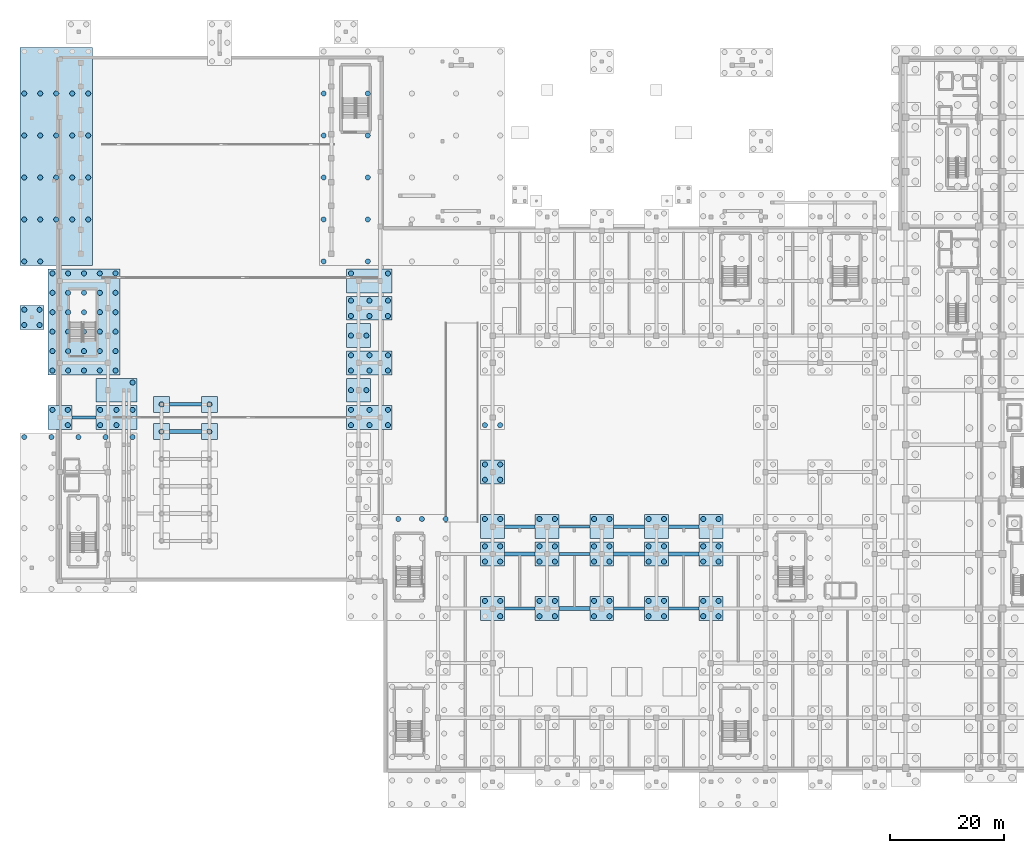
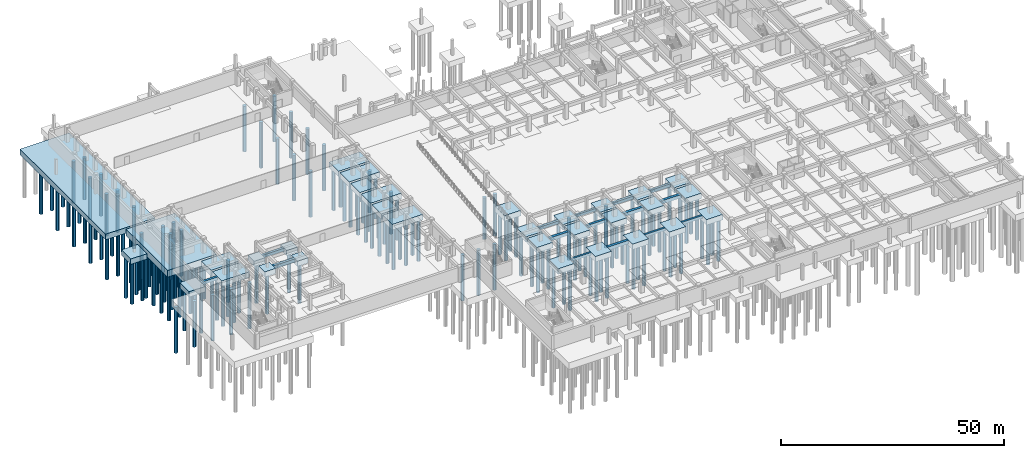
# One storey, part 2 of 39: 166 piles, 47 footings.
"""IFC4 building model written with IfcOpenShell, lengths in metres."""

from ifc_helpers import new_model, si_unit, direction, frame, origin, origin_2d, place, context, subcontext, project, spatial, rectangle, circle, extrude, material, material_profile, profile_set, type_object, element, save


model = new_model("IFC4")

# Units and contexts
model_context = context("Model", 3, precision=1e-05, world=origin(), true_north=direction((0.0, 1.0)))
body_context = subcontext(model_context, "Body", "Model", "MODEL_VIEW")
ifc_project = project(units=[si_unit("LENGTHUNIT", "METRE"), si_unit("AREAUNIT", "SQUARE_METRE"), si_unit("VOLUMEUNIT", "CUBIC_METRE"), si_unit("PLANEANGLEUNIT", "RADIAN"), si_unit("MASSUNIT", "GRAM", prefix="KILO")], contexts=[model_context])

# Site, building, storey
site_placement = place(None, origin())
site = spatial("IfcSite", under=ifc_project, at=site_placement, CompositionType="ELEMENT")
building_placement = place(site_placement, origin())
building = spatial("IfcBuilding", under=site, at=building_placement, Name="Nakhvara Creek Congress Hotel", CompositionType="ELEMENT")
storey_placement = place(building_placement, frame((0.0, 0.0, -8.39990234375)))
storey = spatial("IfcBuildingStorey", under=building, at=storey_placement, Name="B2", CompositionType="ELEMENT", Elevation=-8.39990234375)

# Footings
ifc_material = material(Name="Concrete C40/50", Category="concrete")
footing_type_1 = type_object("IfcFootingType", Name="FT-GB-500X700", PredefinedType="FOOTING_BEAM", material=ifc_material)
for number, where, z_axis, x_axis, name in (
    (1, (81.60009765625, 28.800048828125, -0.7001953125), (0.0, 0.0, 1.0), (1.0, 0.0, 0.0), "Ground Beam GB-016"),
    (2, (91.199951171875, 43.199951171875, -0.7001953125), (0.0, 0.0, 1.0), (1.0, 0.0, 0.0), "Ground Beam GB-025"),
    (3, (100.800048828125, 28.800048828125, -0.7001953125), (0.0, 0.0, 1.0), (1.0, 0.0, 0.0), "Ground Beam GB-031"),
    (4, (110.39990234375, 28.800048828125, -0.7001953125), (0.0, 0.0, 1.0), (1.0, 0.0, 0.0), "Ground Beam GB-037"),
):
    element("IfcFooting", number, at=place(storey_placement, frame(where, z_axis=z_axis, x_axis=x_axis)), inside=storey, type_object=footing_type_1, Name=name, PredefinedType="FOOTING_BEAM", context=body_context, shape_type="SweptSolid", body=[
        extrude(rectangle(XDim=5.39990234375, YDim=0.5, at=origin_2d()), origin(), (0.0, 0.0, 1.0), 0.699951171875),
    ])
footing_type_2 = type_object("IfcFootingType", Name="FT-GB-600X800", PredefinedType="FOOTING_BEAM", material=ifc_material)
footing_1_placement = place(storey_placement, frame((4.949951171875, 62.39990234375, -0.80029296875), z_axis=(0.0, 0.0, 1.0), x_axis=(1.0, 0.0, 0.0)))
element("IfcFooting", 5, at=footing_1_placement, inside=storey, type_object=footing_type_2, Name="Ground Beam GB-006", PredefinedType="FOOTING_BEAM", context=body_context, shape_type="SweptSolid", body=[
    extrude(rectangle(XDim=4.199951171875, YDim=0.60009765625, at=origin_2d()), origin(), (0.0, 0.0, 1.0), 0.800048828125),
])
footing_2_placement = place(storey_placement, frame((22.800048828125, 64.699951171875, -0.80029296875), z_axis=(0.0, 0.0, 1.0), x_axis=(1.0, 0.0, 0.0)))
element("IfcFooting", 6, at=footing_2_placement, inside=storey, type_object=footing_type_2, Name="Ground Beam GB-012", PredefinedType="FOOTING_BEAM", context=body_context, shape_type="SweptSolid", body=[
    extrude(rectangle(XDim=5.60009765625, YDim=0.60009765625, at=origin_2d()), origin(), (0.0, 0.0, 1.0), 0.800048828125),
])
for number, where, z_axis, x_axis, name in (
    (7, (81.60009765625, 43.199951171875, -0.80029296875), (0.0, 0.0, 1.0), (1.0, 0.0, 0.0), "Ground Beam GB-018"),
    (8, (91.199951171875, 38.39990234375, -0.80029296875), (0.0, 0.0, 1.0), (1.0, 0.0, 0.0), "Ground Beam GB-024"),
    (9, (100.800048828125, 43.199951171875, -0.80029296875), (0.0, 0.0, 1.0), (1.0, 0.0, 0.0), "Ground Beam GB-033"),
    (10, (110.39990234375, 43.199951171875, -0.80029296875), (0.0, 0.0, 1.0), (1.0, 0.0, 0.0), "Ground Beam GB-039"),
):
    element("IfcFooting", number, at=place(storey_placement, frame(where, z_axis=z_axis, x_axis=x_axis)), inside=storey, type_object=footing_type_2, Name=name, PredefinedType="FOOTING_BEAM", context=body_context, shape_type="SweptSolid", body=[
        extrude(rectangle(XDim=5.39990234375, YDim=0.60009765625, at=origin_2d()), origin(), (0.0, 0.0, 1.0), 0.800048828125),
    ])
footing_type_3 = type_object("IfcFootingType", Name="FT-GB-700X900", PredefinedType="FOOTING_BEAM", material=ifc_material)
footing_3_placement = place(storey_placement, frame((22.800048828125, 59.89990234375, -0.900146484375), z_axis=(0.0, 0.0, 1.0), x_axis=(1.0, 0.0, 0.0)))
element("IfcFooting", 11, at=footing_3_placement, inside=storey, type_object=footing_type_3, Name="Ground Beam GB-011", PredefinedType="FOOTING_BEAM", context=body_context, shape_type="SweptSolid", body=[
    extrude(rectangle(XDim=5.60009765625, YDim=0.699951171875, at=origin_2d()), origin(), (0.0, 0.0, 1.0), 0.89990234375),
])
for number, where, z_axis, x_axis, name in (
    (12, (81.60009765625, 38.39990234375, -0.900146484375), (0.0, 0.0, 1.0), (1.0, 0.0, 0.0), "Ground Beam GB-017"),
    (13, (91.199951171875, 28.800048828125, -0.900146484375), (0.0, 0.0, 1.0), (1.0, 0.0, 0.0), "Ground Beam GB-023"),
    (14, (100.800048828125, 38.39990234375, -0.900146484375), (0.0, 0.0, 1.0), (1.0, 0.0, 0.0), "Ground Beam GB-032"),
    (15, (110.39990234375, 38.39990234375, -0.900146484375), (0.0, 0.0, 1.0), (1.0, 0.0, 0.0), "Ground Beam GB-038"),
):
    element("IfcFooting", number, at=place(storey_placement, frame(where, z_axis=z_axis, x_axis=x_axis)), inside=storey, type_object=footing_type_3, Name=name, PredefinedType="FOOTING_BEAM", context=body_context, shape_type="SweptSolid", body=[
        extrude(rectangle(XDim=5.39990234375, YDim=0.699951171875, at=origin_2d()), origin(), (0.0, 0.0, 1.0), 0.89990234375),
    ])
footing_type_4 = type_object("IfcFootingType", Name="FT-MCAP-1260X1860X185", PredefinedType="PILE_CAP", material=ifc_material)
footing_4_placement = place(storey_placement, frame((4.949951171875, 79.199951171875, -1.85009765625), z_axis=(0.0, 0.0, 1.0), x_axis=(1.0, 0.0, 0.0)))
element("IfcFooting", 16, at=footing_4_placement, inside=storey, type_object=footing_type_4, Name="Pile Cap 006", PredefinedType="PILE_CAP", context=body_context, shape_type="SweptSolid", body=[
    extrude(rectangle(XDim=12.60009765625, YDim=18.60009765625, at=origin_2d()), origin(), (0.0, 0.0, 1.0), 1.85009765625),
])
footing_type_5 = type_object("IfcFootingType", Name="FT-MCAP-1275X3840X155", PredefinedType="PILE_CAP", material=ifc_material)
footing_5_placement = place(storey_placement, frame((0.074951171875, 108.300048828125, -1.55029296875), z_axis=(0.0, 0.0, 1.0), x_axis=(1.0, 0.0, 0.0)))
element("IfcFooting", 17, at=footing_5_placement, inside=storey, type_object=footing_type_5, Name="Pile Cap 037", PredefinedType="PILE_CAP", context=body_context, shape_type="SweptSolid", body=[
    extrude(rectangle(XDim=12.75, YDim=38.39990234375, at=origin_2d()), origin(), (0.0, 0.0, 1.0), 1.550048828125),
])
footing_type_6 = type_object("IfcFootingType", Name="FT-MCAP-280X280X140", PredefinedType="PILE_CAP", material=ifc_material)
for number, where, z_axis, x_axis, name in (
    (18, (18.60009765625, 59.89990234375, -1.400146484375), (0.0, 0.0, 1.0), (1.0, 0.0, 0.0), "Pile Cap 033"),
    (19, (27.0, 59.89990234375, -1.400146484375), (0.0, 0.0, 1.0), (1.0, 0.0, 0.0), "Pile Cap 034"),
    (20, (18.60009765625, 64.699951171875, -1.400146484375), (0.0, 0.0, 1.0), (1.0, 0.0, 0.0), "Pile Cap 035"),
    (21, (27.0, 64.699951171875, -1.400146484375), (0.0, 0.0, 1.0), (1.0, 0.0, 0.0), "Pile Cap 036"),
):
    element("IfcFooting", number, at=place(storey_placement, frame(where, z_axis=z_axis, x_axis=x_axis)), inside=storey, type_object=footing_type_6, Name=name, PredefinedType="PILE_CAP", context=body_context, shape_type="SweptSolid", body=[
        extrude(rectangle(XDim=2.800048828125, YDim=2.800048828125, at=origin_2d()), origin(), (0.0, 0.0, 1.0), 1.39990234375),
    ])
footing_type_7 = type_object("IfcFootingType", Name="FT-MCAP-420X420X150", PredefinedType="PILE_CAP", material=ifc_material)
for number, where, z_axis, x_axis, name in (
    (22, (0.75, 62.39990234375, -1.5), (0.0, 0.0, 1.0), (1.0, 0.0, 0.0), "Pile Cap 014"),
    (23, (76.800048828125, 28.800048828125, -1.5), (0.0, 0.0, 1.0), (1.0, 0.0, 0.0), "Pile Cap 042"),
    (24, (76.800048828125, 38.39990234375, -1.5), (0.0, 0.0, 1.0), (1.0, 0.0, 0.0), "Pile Cap 043"),
    (25, (76.800048828125, 43.199951171875, -1.5), (0.0, 0.0, 1.0), (1.0, 0.0, 0.0), "Pile Cap 044"),
    (26, (76.800048828125, 52.800048828125, -1.5), (0.0, 0.0, 1.0), (1.0, 0.0, 0.0), "Pile Cap 045"),
    (27, (86.39990234375, 28.800048828125, -1.5), (0.0, 0.0, 1.0), (1.0, 0.0, 0.0), "Pile Cap 052"),
    (28, (86.39990234375, 38.39990234375, -1.5), (0.0, 0.0, 1.0), (1.0, 0.0, 0.0), "Pile Cap 053"),
    (29, (86.39990234375, 43.199951171875, -1.5), (0.0, 0.0, 1.0), (1.0, 0.0, 0.0), "Pile Cap 054"),
    (30, (96.0, 28.800048828125, -1.5), (0.0, 0.0, 1.0), (1.0, 0.0, 0.0), "Pile Cap 060"),
    (31, (96.0, 38.39990234375, -1.5), (0.0, 0.0, 1.0), (1.0, 0.0, 0.0), "Pile Cap 061"),
    (32, (96.0, 43.199951171875, -1.5), (0.0, 0.0, 1.0), (1.0, 0.0, 0.0), "Pile Cap 062"),
    (33, (105.60009765625, 28.800048828125, -1.5), (0.0, 0.0, 1.0), (1.0, 0.0, 0.0), "Pile Cap 068"),
    (34, (105.60009765625, 38.39990234375, -1.5), (0.0, 0.0, 1.0), (1.0, 0.0, 0.0), "Pile Cap 069"),
    (35, (105.60009765625, 43.199951171875, -1.5), (0.0, 0.0, 1.0), (1.0, 0.0, 0.0), "Pile Cap 070"),
    (36, (115.199951171875, 28.800048828125, -1.5), (0.0, 0.0, 1.0), (1.0, 0.0, 0.0), "Pile Cap 075"),
    (37, (115.199951171875, 38.39990234375, -1.5), (0.0, 0.0, 1.0), (1.0, 0.0, 0.0), "Pile Cap 076"),
    (38, (115.199951171875, 43.199951171875, -1.5), (0.0, 0.0, 1.0), (1.0, 0.0, 0.0), "Pile Cap 077"),
    (39, (-4.199951171875, 80.0, -1.5), (0.0, 0.0, 1.0), (1.0, 0.0, 0.0), "Pile Cap 135"),
):
    element("IfcFooting", number, at=place(storey_placement, frame(where, z_axis=z_axis, x_axis=x_axis)), inside=storey, type_object=footing_type_7, Name=name, PredefinedType="PILE_CAP", context=body_context, shape_type="SweptSolid", body=[
        extrude(rectangle(XDim=4.199951171875, YDim=4.199951171875, at=origin_2d()), origin(), (0.0, 0.0, 1.0), 1.5),
    ])
footing_type_8 = type_object("IfcFootingType", Name="FT-MCAP-420X420X155", PredefinedType="PILE_CAP", material=ifc_material)
for number, where, z_axis, x_axis, name in (
    (40, (53.25, 67.199951171875, -1.55029296875), (0.0, 0.0, 1.0), (1.0, 0.0, 0.0), "Pile Cap 023"),
    (41, (53.25, 76.800048828125, -1.55029296875), (0.0, 0.0, 1.0), (1.0, 0.0, 0.0), "Pile Cap 024"),
):
    element("IfcFooting", number, at=place(storey_placement, frame(where, z_axis=z_axis, x_axis=x_axis)), inside=storey, type_object=footing_type_8, Name=name, PredefinedType="PILE_CAP", context=body_context, shape_type="SweptSolid", body=[
        extrude(rectangle(XDim=4.199951171875, YDim=4.199951171875, at=origin_2d()), origin(), (0.0, 0.0, 1.0), 1.550048828125),
    ])
footing_type_9 = type_object("IfcFootingType", Name="FT-MCAP-720X420X155", PredefinedType="PILE_CAP", material=ifc_material)
for number, where, z_axis, x_axis, name in (
    (42, (10.64990234375, 62.39990234375, -1.55029296875), (0.0, 0.0, 1.0), (1.0, 0.0, 0.0), "Pile Cap 021"),
    (43, (10.64990234375, 67.199951171875, -1.55029296875), (0.0, 0.0, 1.0), (1.0, 0.0, 0.0), "Pile Cap 022"),
):
    element("IfcFooting", number, at=place(storey_placement, frame(where, z_axis=z_axis, x_axis=x_axis)), inside=storey, type_object=footing_type_9, Name=name, PredefinedType="PILE_CAP", context=body_context, shape_type="SweptSolid", body=[
        extrude(rectangle(XDim=7.199951171875, YDim=4.199951171875, at=origin_2d()), origin(), (0.0, 0.0, 1.0), 1.550048828125),
    ])
footing_type_10 = type_object("IfcFootingType", Name="FT-MCAP-800X420X155", PredefinedType="PILE_CAP", material=ifc_material)
for number, where, z_axis, x_axis, name in (
    (44, (55.14990234375, 62.39990234375, -1.55029296875), (0.0, 0.0, 1.0), (1.0, 0.0, 0.0), "Pile Cap 015"),
    (45, (55.14990234375, 72.0, -1.55029296875), (0.0, 0.0, 1.0), (1.0, 0.0, 0.0), "Pile Cap 016"),
    (46, (55.14990234375, 81.60009765625, -1.55029296875), (0.0, 0.0, 1.0), (1.0, 0.0, 0.0), "Pile Cap 017"),
    (47, (55.14990234375, 86.39990234375, -1.55029296875), (0.0, 0.0, 1.0), (1.0, 0.0, 0.0), "Pile Cap 018"),
):
    element("IfcFooting", number, at=place(storey_placement, frame(where, z_axis=z_axis, x_axis=x_axis)), inside=storey, type_object=footing_type_10, Name=name, PredefinedType="PILE_CAP", context=body_context, shape_type="SweptSolid", body=[
        extrude(rectangle(XDim=8.0, YDim=4.199951171875, at=origin_2d()), origin(), (0.0, 0.0, 1.0), 1.550048828125),
    ])

# Piles
ifc_material_profile = material_profile(ifc_material, circle(Radius=0.449951171875, at=origin_2d()), Name="BORED PILE D900", Category="LoadBearing")
ifc_profile_set = profile_set([ifc_material_profile], Name="Concrete C40/50")
pile_type = type_object("IfcPileType", Name="PILE-BORED-900", PredefinedType="BORED", material=ifc_profile_set)
for number, where, z_axis, x_axis, name in (
    (48, (-5.550048828125, 58.949951171875, -1.75), (0.0, 0.0, -1.0), (1.0, 0.0, 0.0), "Bored Pile P-0090"),
    (49, (-0.787109375, 58.949951171875, -1.75), (0.0, 0.0, -1.0), (1.0, 0.0, 0.0), "Bored Pile P-0096"),
    (50, (3.97509765625, 58.949951171875, -1.75), (0.0, 0.0, -1.0), (1.0, 0.0, 0.0), "Bored Pile P-0102"),
    (51, (8.738037109375, 58.949951171875, -1.75), (0.0, 0.0, -1.0), (1.0, 0.0, 0.0), "Bored Pile P-0108"),
    (52, (13.5, 58.949951171875, -1.75), (0.0, 0.0, -1.0), (1.0, 0.0, 0.0), "Bored Pile P-0114"),
    (53, (-0.60009765625, 70.64990234375, -1.75), (0.0, 0.0, -1.0), (1.0, 0.0, 0.0), "Bored Pile P-0145"),
    (54, (-0.60009765625, 74.070068359375, -1.75), (0.0, 0.0, -1.0), (1.0, 0.0, 0.0), "Bored Pile P-0146"),
    (55, (-0.60009765625, 77.489990234375, -1.75), (0.0, 0.0, -1.0), (1.0, 0.0, 0.0), "Bored Pile P-0147"),
    (56, (-0.60009765625, 80.909912109375, -1.75), (0.0, 0.0, -1.0), (1.0, 0.0, 0.0), "Bored Pile P-0148"),
    (57, (-0.60009765625, 84.330078125, -1.75), (0.0, 0.0, -1.0), (1.0, 0.0, 0.0), "Bored Pile P-0149"),
    (58, (-0.60009765625, 87.75, -1.75), (0.0, 0.0, -1.0), (1.0, 0.0, 0.0), "Bored Pile P-0150"),
    (59, (2.175048828125, 70.64990234375, -1.75), (0.0, 0.0, -1.0), (1.0, 0.0, 0.0), "Bored Pile P-0151"),
    (60, (2.175048828125, 74.070068359375, -1.75), (0.0, 0.0, -1.0), (1.0, 0.0, 0.0), "Bored Pile P-0152"),
    (61, (2.175048828125, 77.489990234375, -1.75), (0.0, 0.0, -1.0), (1.0, 0.0, 0.0), "Bored Pile P-0153"),
    (62, (2.175048828125, 80.909912109375, -1.75), (0.0, 0.0, -1.0), (1.0, 0.0, 0.0), "Bored Pile P-0154"),
    (63, (2.175048828125, 84.330078125, -1.75), (0.0, 0.0, -1.0), (1.0, 0.0, 0.0), "Bored Pile P-0155"),
    (64, (2.175048828125, 87.75, -1.75), (0.0, 0.0, -1.0), (1.0, 0.0, 0.0), "Bored Pile P-0156"),
    (65, (4.949951171875, 70.64990234375, -1.75), (0.0, 0.0, -1.0), (1.0, 0.0, 0.0), "Bored Pile P-0157"),
    (66, (4.949951171875, 74.070068359375, -1.75), (0.0, 0.0, -1.0), (1.0, 0.0, 0.0), "Bored Pile P-0158"),
    (67, (4.949951171875, 77.489990234375, -1.75), (0.0, 0.0, -1.0), (1.0, 0.0, 0.0), "Bored Pile P-0159"),
    (68, (4.949951171875, 80.909912109375, -1.75), (0.0, 0.0, -1.0), (1.0, 0.0, 0.0), "Bored Pile P-0160"),
    (69, (4.949951171875, 84.330078125, -1.75), (0.0, 0.0, -1.0), (1.0, 0.0, 0.0), "Bored Pile P-0161"),
    (70, (4.949951171875, 87.75, -1.75), (0.0, 0.0, -1.0), (1.0, 0.0, 0.0), "Bored Pile P-0162"),
    (71, (7.72509765625, 70.64990234375, -1.75), (0.0, 0.0, -1.0), (1.0, 0.0, 0.0), "Bored Pile P-0163"),
    (72, (7.72509765625, 74.070068359375, -1.75), (0.0, 0.0, -1.0), (1.0, 0.0, 0.0), "Bored Pile P-0164"),
    (73, (7.72509765625, 77.489990234375, -1.75), (0.0, 0.0, -1.0), (1.0, 0.0, 0.0), "Bored Pile P-0165"),
    (74, (7.72509765625, 80.909912109375, -1.75), (0.0, 0.0, -1.0), (1.0, 0.0, 0.0), "Bored Pile P-0166"),
    (75, (7.72509765625, 84.330078125, -1.75), (0.0, 0.0, -1.0), (1.0, 0.0, 0.0), "Bored Pile P-0167"),
    (76, (7.72509765625, 87.75, -1.75), (0.0, 0.0, -1.0), (1.0, 0.0, 0.0), "Bored Pile P-0168"),
    (77, (10.5, 70.64990234375, -1.75), (0.0, 0.0, -1.0), (1.0, 0.0, 0.0), "Bored Pile P-0169"),
    (78, (10.5, 74.070068359375, -1.75), (0.0, 0.0, -1.0), (1.0, 0.0, 0.0), "Bored Pile P-0170"),
    (79, (10.5, 77.489990234375, -1.75), (0.0, 0.0, -1.0), (1.0, 0.0, 0.0), "Bored Pile P-0171"),
    (80, (10.5, 80.909912109375, -1.75), (0.0, 0.0, -1.0), (1.0, 0.0, 0.0), "Bored Pile P-0172"),
    (81, (10.5, 84.330078125, -1.75), (0.0, 0.0, -1.0), (1.0, 0.0, 0.0), "Bored Pile P-0173"),
    (82, (10.5, 87.75, -1.75), (0.0, 0.0, -1.0), (1.0, 0.0, 0.0), "Bored Pile P-0174"),
    (83, (47.10009765625, 89.85009765625, -1.75), (0.0, 0.0, -1.0), (1.0, 0.0, 0.0), "Bored Pile P-0175"),
    (84, (47.10009765625, 97.22998046875, -1.75), (0.0, 0.0, -1.0), (1.0, 0.0, 0.0), "Bored Pile P-0176"),
    (85, (47.10009765625, 104.610107421875, -1.75), (0.0, 0.0, -1.0), (1.0, 0.0, 0.0), "Bored Pile P-0177"),
    (86, (47.10009765625, 111.989990234375, -1.75), (0.0, 0.0, -1.0), (1.0, 0.0, 0.0), "Bored Pile P-0178"),
    (87, (47.10009765625, 119.3701171875, -1.75), (0.0, 0.0, -1.0), (1.0, 0.0, 0.0), "Bored Pile P-0179"),
    (88, (54.862060546875, 89.85009765625, -1.75), (0.0, 0.0, -1.0), (1.0, 0.0, 0.0), "Bored Pile P-0181"),
    (89, (54.862060546875, 97.22998046875, -1.75), (0.0, 0.0, -1.0), (1.0, 0.0, 0.0), "Bored Pile P-0182"),
    (90, (54.862060546875, 104.610107421875, -1.75), (0.0, 0.0, -1.0), (1.0, 0.0, 0.0), "Bored Pile P-0183"),
    (91, (54.862060546875, 111.989990234375, -1.75), (0.0, 0.0, -1.0), (1.0, 0.0, 0.0), "Bored Pile P-0184"),
    (92, (54.862060546875, 119.3701171875, -1.75), (0.0, 0.0, -1.0), (1.0, 0.0, 0.0), "Bored Pile P-0185"),
    (93, (60.22509765625, 44.550048828125, -1.75), (0.0, 0.0, -1.0), (1.0, 0.0, 0.0), "Bored Pile P-0342"),
    (94, (64.387939453125, 44.550048828125, -1.75), (0.0, 0.0, -1.0), (1.0, 0.0, 0.0), "Bored Pile P-0348"),
    (95, (68.550048828125, 44.550048828125, -1.75), (0.0, 0.0, -1.0), (1.0, 0.0, 0.0), "Bored Pile P-0354"),
):
    element("IfcPile", number, at=place(storey_placement, frame(where, z_axis=z_axis, x_axis=x_axis)), inside=storey, type_object=pile_type, Name=name, PredefinedType="BORED", context=body_context, shape_type="SweptSolid", body=[
        extrude(circle(Radius=0.449951171875, at=origin_2d()), origin(), (0.0, 0.0, 1.0), 12.5),
    ])
for number, where, z_axis, x_axis, name in (
    (96, (-0.60009765625, 63.75, -1.400146484375), (0.0, 0.0, -1.0), (1.0, 0.0, 0.0), "Bored Pile P-0361"),
    (97, (2.10009765625, 61.050048828125, -1.400146484375), (0.0, 0.0, -1.0), (1.0, 0.0, 0.0), "Bored Pile P-0362"),
    (98, (2.10009765625, 63.75, -1.400146484375), (0.0, 0.0, -1.0), (1.0, 0.0, 0.0), "Bored Pile P-0363"),
    (99, (51.89990234375, 61.050048828125, -1.4501953125), (0.0, 0.0, -1.0), (1.0, 0.0, 0.0), "Bored Pile P-0364"),
    (100, (51.89990234375, 63.75, -1.4501953125), (0.0, 0.0, -1.0), (1.0, 0.0, 0.0), "Bored Pile P-0365"),
    (101, (55.14990234375, 61.050048828125, -1.4501953125), (0.0, 0.0, -1.0), (1.0, 0.0, 0.0), "Bored Pile P-0366"),
    (102, (55.14990234375, 63.75, -1.4501953125), (0.0, 0.0, -1.0), (1.0, 0.0, 0.0), "Bored Pile P-0367"),
    (103, (58.39990234375, 61.050048828125, -1.4501953125), (0.0, 0.0, -1.0), (1.0, 0.0, 0.0), "Bored Pile P-0368"),
    (104, (58.39990234375, 63.75, -1.4501953125), (0.0, 0.0, -1.0), (1.0, 0.0, 0.0), "Bored Pile P-0369"),
    (105, (51.89990234375, 70.64990234375, -1.4501953125), (0.0, 0.0, -1.0), (1.0, 0.0, 0.0), "Bored Pile P-0370"),
    (106, (51.89990234375, 73.35009765625, -1.4501953125), (0.0, 0.0, -1.0), (1.0, 0.0, 0.0), "Bored Pile P-0371"),
    (107, (55.14990234375, 70.64990234375, -1.4501953125), (0.0, 0.0, -1.0), (1.0, 0.0, 0.0), "Bored Pile P-0372"),
    (108, (55.14990234375, 73.35009765625, -1.4501953125), (0.0, 0.0, -1.0), (1.0, 0.0, 0.0), "Bored Pile P-0373"),
    (109, (58.39990234375, 70.64990234375, -1.4501953125), (0.0, 0.0, -1.0), (1.0, 0.0, 0.0), "Bored Pile P-0374"),
    (110, (58.39990234375, 73.35009765625, -1.4501953125), (0.0, 0.0, -1.0), (1.0, 0.0, 0.0), "Bored Pile P-0375"),
    (111, (51.89990234375, 80.25, -1.4501953125), (0.0, 0.0, -1.0), (1.0, 0.0, 0.0), "Bored Pile P-0376"),
    (112, (51.89990234375, 82.949951171875, -1.4501953125), (0.0, 0.0, -1.0), (1.0, 0.0, 0.0), "Bored Pile P-0377"),
    (113, (55.14990234375, 80.25, -1.4501953125), (0.0, 0.0, -1.0), (1.0, 0.0, 0.0), "Bored Pile P-0378"),
    (114, (55.14990234375, 82.949951171875, -1.4501953125), (0.0, 0.0, -1.0), (1.0, 0.0, 0.0), "Bored Pile P-0379"),
    (115, (58.39990234375, 80.25, -1.4501953125), (0.0, 0.0, -1.0), (1.0, 0.0, 0.0), "Bored Pile P-0380"),
    (116, (58.39990234375, 82.949951171875, -1.4501953125), (0.0, 0.0, -1.0), (1.0, 0.0, 0.0), "Bored Pile P-0381"),
    (117, (51.89990234375, 87.75, -1.4501953125), (0.0, 0.0, -1.0), (1.0, 0.0, 0.0), "Bored Pile P-0382"),
    (118, (58.39990234375, 87.75, -1.4501953125), (0.0, 0.0, -1.0), (1.0, 0.0, 0.0), "Bored Pile P-0383"),
):
    element("IfcPile", number, at=place(storey_placement, frame(where, z_axis=z_axis, x_axis=x_axis)), inside=storey, type_object=pile_type, Name=name, PredefinedType="BORED", context=body_context, shape_type="SweptSolid", body=[
        extrude(circle(Radius=0.449951171875, at=origin_2d()), origin(), (0.0, 0.0, 1.0), 11.39990234375),
    ])
for number, where, z_axis, x_axis, name in (
    (119, (7.800048828125, 61.050048828125, -1.4501953125), (0.0, 0.0, -1.0), (1.0, 0.0, 0.0), "Bored Pile P-0387"),
    (120, (7.800048828125, 63.75, -1.4501953125), (0.0, 0.0, -1.0), (1.0, 0.0, 0.0), "Bored Pile P-0388"),
    (121, (10.64990234375, 61.050048828125, -1.4501953125), (0.0, 0.0, -1.0), (1.0, 0.0, 0.0), "Bored Pile P-0389"),
    (122, (10.64990234375, 63.75, -1.4501953125), (0.0, 0.0, -1.0), (1.0, 0.0, 0.0), "Bored Pile P-0390"),
    (123, (13.5, 63.75, -1.4501953125), (0.0, 0.0, -1.0), (1.0, 0.0, 0.0), "Bored Pile P-0391"),
    (124, (13.5, 68.550048828125, -1.4501953125), (0.0, 0.0, -1.0), (1.0, 0.0, 0.0), "Bored Pile P-0392"),
    (125, (51.89990234375, 67.199951171875, -1.4501953125), (0.0, 0.0, -1.0), (1.0, 0.0, 0.0), "Bored Pile P-0393"),
    (126, (54.60009765625, 67.199951171875, -1.4501953125), (0.0, 0.0, -1.0), (1.0, 0.0, 0.0), "Bored Pile P-0394"),
    (127, (51.89990234375, 76.800048828125, -1.4501953125), (0.0, 0.0, -1.0), (1.0, 0.0, 0.0), "Bored Pile P-0395"),
    (128, (54.60009765625, 76.800048828125, -1.4501953125), (0.0, 0.0, -1.0), (1.0, 0.0, 0.0), "Bored Pile P-0396"),
):
    element("IfcPile", number, at=place(storey_placement, frame(where, z_axis=z_axis, x_axis=x_axis)), inside=storey, type_object=pile_type, Name=name, PredefinedType="BORED", context=body_context, shape_type="SweptSolid", body=[
        extrude(circle(Radius=0.449951171875, at=origin_2d()), origin(), (0.0, 0.0, 1.0), 11.449951171875),
    ])
for number, where, z_axis, x_axis, name in (
    (129, (18.60009765625, 59.89990234375, -1.300048828125), (0.0, 0.0, -1.0), (1.0, 0.0, 0.0), "Bored Pile P-0405"),
    (130, (27.0, 59.89990234375, -1.300048828125), (0.0, 0.0, -1.0), (1.0, 0.0, 0.0), "Bored Pile P-0406"),
    (131, (18.60009765625, 64.699951171875, -1.300048828125), (0.0, 0.0, -1.0), (1.0, 0.0, 0.0), "Bored Pile P-0407"),
    (132, (27.0, 64.699951171875, -1.300048828125), (0.0, 0.0, -1.0), (1.0, 0.0, 0.0), "Bored Pile P-0408"),
):
    element("IfcPile", number, at=place(storey_placement, frame(where, z_axis=z_axis, x_axis=x_axis)), inside=storey, type_object=pile_type, Name=name, PredefinedType="BORED", context=body_context, shape_type="SweptSolid", body=[
        extrude(circle(Radius=0.449951171875, at=origin_2d()), origin(), (0.0, 0.0, 1.0), 11.300048828125),
    ])
for number, where, z_axis, x_axis, name in (
    (133, (-5.550048828125, 89.85009765625, -1.4501953125), (0.0, 0.0, -1.0), (1.0, 0.0, 0.0), "Bored Pile P-0409"),
    (134, (-5.550048828125, 97.22998046875, -1.4501953125), (0.0, 0.0, -1.0), (1.0, 0.0, 0.0), "Bored Pile P-0410"),
    (135, (-5.550048828125, 104.610107421875, -1.4501953125), (0.0, 0.0, -1.0), (1.0, 0.0, 0.0), "Bored Pile P-0411"),
    (136, (-5.550048828125, 111.989990234375, -1.4501953125), (0.0, 0.0, -1.0), (1.0, 0.0, 0.0), "Bored Pile P-0412"),
    (137, (-5.550048828125, 119.3701171875, -1.4501953125), (0.0, 0.0, -1.0), (1.0, 0.0, 0.0), "Bored Pile P-0413"),
    (138, (-2.737060546875, 89.85009765625, -1.4501953125), (0.0, 0.0, -1.0), (1.0, 0.0, 0.0), "Bored Pile P-0415"),
    (139, (-2.737060546875, 97.22998046875, -1.4501953125), (0.0, 0.0, -1.0), (1.0, 0.0, 0.0), "Bored Pile P-0416"),
    (140, (-2.737060546875, 104.610107421875, -1.4501953125), (0.0, 0.0, -1.0), (1.0, 0.0, 0.0), "Bored Pile P-0417"),
    (141, (-2.737060546875, 111.989990234375, -1.4501953125), (0.0, 0.0, -1.0), (1.0, 0.0, 0.0), "Bored Pile P-0418"),
    (142, (-2.737060546875, 119.3701171875, -1.4501953125), (0.0, 0.0, -1.0), (1.0, 0.0, 0.0), "Bored Pile P-0419"),
    (143, (0.074951171875, 97.22998046875, -1.4501953125), (0.0, 0.0, -1.0), (1.0, 0.0, 0.0), "Bored Pile P-0421"),
    (144, (0.074951171875, 104.610107421875, -1.4501953125), (0.0, 0.0, -1.0), (1.0, 0.0, 0.0), "Bored Pile P-0422"),
    (145, (0.074951171875, 111.989990234375, -1.4501953125), (0.0, 0.0, -1.0), (1.0, 0.0, 0.0), "Bored Pile P-0423"),
    (146, (0.074951171875, 119.3701171875, -1.4501953125), (0.0, 0.0, -1.0), (1.0, 0.0, 0.0), "Bored Pile P-0424"),
    (147, (2.887939453125, 97.22998046875, -1.4501953125), (0.0, 0.0, -1.0), (1.0, 0.0, 0.0), "Bored Pile P-0426"),
    (148, (2.887939453125, 104.610107421875, -1.4501953125), (0.0, 0.0, -1.0), (1.0, 0.0, 0.0), "Bored Pile P-0427"),
    (149, (2.887939453125, 111.989990234375, -1.4501953125), (0.0, 0.0, -1.0), (1.0, 0.0, 0.0), "Bored Pile P-0428"),
    (150, (2.887939453125, 119.3701171875, -1.4501953125), (0.0, 0.0, -1.0), (1.0, 0.0, 0.0), "Bored Pile P-0429"),
    (151, (5.699951171875, 97.22998046875, -1.4501953125), (0.0, 0.0, -1.0), (1.0, 0.0, 0.0), "Bored Pile P-0431"),
    (152, (5.699951171875, 104.610107421875, -1.4501953125), (0.0, 0.0, -1.0), (1.0, 0.0, 0.0), "Bored Pile P-0432"),
    (153, (5.699951171875, 111.989990234375, -1.4501953125), (0.0, 0.0, -1.0), (1.0, 0.0, 0.0), "Bored Pile P-0433"),
    (154, (5.699951171875, 119.3701171875, -1.4501953125), (0.0, 0.0, -1.0), (1.0, 0.0, 0.0), "Bored Pile P-0434"),
):
    element("IfcPile", number, at=place(storey_placement, frame(where, z_axis=z_axis, x_axis=x_axis)), inside=storey, type_object=pile_type, Name=name, PredefinedType="BORED", context=body_context, shape_type="SweptSolid", body=[
        extrude(circle(Radius=0.449951171875, at=origin_2d()), origin(), (0.0, 0.0, 1.0), 11.449951171875),
    ])
for number, where, z_axis, x_axis, name in (
    (155, (75.449951171875, 30.14990234375, -1.400146484375), (0.0, 0.0, -1.0), (1.0, 0.0, 0.0), "Bored Pile P-0453"),
    (156, (78.14990234375, 27.449951171875, -1.400146484375), (0.0, 0.0, -1.0), (1.0, 0.0, 0.0), "Bored Pile P-0454"),
    (157, (78.14990234375, 30.14990234375, -1.400146484375), (0.0, 0.0, -1.0), (1.0, 0.0, 0.0), "Bored Pile P-0455"),
    (158, (75.449951171875, 37.050048828125, -1.400146484375), (0.0, 0.0, -1.0), (1.0, 0.0, 0.0), "Bored Pile P-0456"),
    (159, (75.449951171875, 39.75, -1.400146484375), (0.0, 0.0, -1.0), (1.0, 0.0, 0.0), "Bored Pile P-0457"),
    (160, (78.14990234375, 37.050048828125, -1.400146484375), (0.0, 0.0, -1.0), (1.0, 0.0, 0.0), "Bored Pile P-0458"),
    (161, (78.14990234375, 39.75, -1.400146484375), (0.0, 0.0, -1.0), (1.0, 0.0, 0.0), "Bored Pile P-0459"),
    (162, (75.449951171875, 44.550048828125, -1.400146484375), (0.0, 0.0, -1.0), (1.0, 0.0, 0.0), "Bored Pile P-0460"),
    (163, (78.14990234375, 44.550048828125, -1.400146484375), (0.0, 0.0, -1.0), (1.0, 0.0, 0.0), "Bored Pile P-0461"),
    (164, (75.449951171875, 51.449951171875, -1.400146484375), (0.0, 0.0, -1.0), (1.0, 0.0, 0.0), "Bored Pile P-0462"),
    (165, (75.449951171875, 54.14990234375, -1.400146484375), (0.0, 0.0, -1.0), (1.0, 0.0, 0.0), "Bored Pile P-0463"),
    (166, (78.14990234375, 51.449951171875, -1.400146484375), (0.0, 0.0, -1.0), (1.0, 0.0, 0.0), "Bored Pile P-0464"),
    (167, (78.14990234375, 54.14990234375, -1.400146484375), (0.0, 0.0, -1.0), (1.0, 0.0, 0.0), "Bored Pile P-0465"),
    (168, (75.449951171875, 61.050048828125, -1.400146484375), (0.0, 0.0, -1.0), (1.0, 0.0, 0.0), "Bored Pile P-0466"),
    (169, (78.14990234375, 61.050048828125, -1.400146484375), (0.0, 0.0, -1.0), (1.0, 0.0, 0.0), "Bored Pile P-0468"),
    (170, (85.050048828125, 27.449951171875, -1.400146484375), (0.0, 0.0, -1.0), (1.0, 0.0, 0.0), "Bored Pile P-0489"),
    (171, (85.050048828125, 30.14990234375, -1.400146484375), (0.0, 0.0, -1.0), (1.0, 0.0, 0.0), "Bored Pile P-0490"),
    (172, (87.75, 27.449951171875, -1.400146484375), (0.0, 0.0, -1.0), (1.0, 0.0, 0.0), "Bored Pile P-0491"),
    (173, (87.75, 30.14990234375, -1.400146484375), (0.0, 0.0, -1.0), (1.0, 0.0, 0.0), "Bored Pile P-0492"),
    (174, (85.050048828125, 37.050048828125, -1.400146484375), (0.0, 0.0, -1.0), (1.0, 0.0, 0.0), "Bored Pile P-0493"),
    (175, (85.050048828125, 39.75, -1.400146484375), (0.0, 0.0, -1.0), (1.0, 0.0, 0.0), "Bored Pile P-0494"),
    (176, (87.75, 37.050048828125, -1.400146484375), (0.0, 0.0, -1.0), (1.0, 0.0, 0.0), "Bored Pile P-0495"),
    (177, (87.75, 39.75, -1.400146484375), (0.0, 0.0, -1.0), (1.0, 0.0, 0.0), "Bored Pile P-0496"),
    (178, (85.050048828125, 44.550048828125, -1.400146484375), (0.0, 0.0, -1.0), (1.0, 0.0, 0.0), "Bored Pile P-0497"),
    (179, (87.75, 44.550048828125, -1.400146484375), (0.0, 0.0, -1.0), (1.0, 0.0, 0.0), "Bored Pile P-0498"),
    (180, (94.64990234375, 27.449951171875, -1.400146484375), (0.0, 0.0, -1.0), (1.0, 0.0, 0.0), "Bored Pile P-0519"),
    (181, (94.64990234375, 30.14990234375, -1.400146484375), (0.0, 0.0, -1.0), (1.0, 0.0, 0.0), "Bored Pile P-0520"),
    (182, (97.35009765625, 27.449951171875, -1.400146484375), (0.0, 0.0, -1.0), (1.0, 0.0, 0.0), "Bored Pile P-0521"),
    (183, (97.35009765625, 30.14990234375, -1.400146484375), (0.0, 0.0, -1.0), (1.0, 0.0, 0.0), "Bored Pile P-0522"),
    (184, (94.64990234375, 37.050048828125, -1.400146484375), (0.0, 0.0, -1.0), (1.0, 0.0, 0.0), "Bored Pile P-0523"),
    (185, (94.64990234375, 39.75, -1.400146484375), (0.0, 0.0, -1.0), (1.0, 0.0, 0.0), "Bored Pile P-0524"),
    (186, (97.35009765625, 37.050048828125, -1.400146484375), (0.0, 0.0, -1.0), (1.0, 0.0, 0.0), "Bored Pile P-0525"),
    (187, (97.35009765625, 39.75, -1.400146484375), (0.0, 0.0, -1.0), (1.0, 0.0, 0.0), "Bored Pile P-0526"),
    (188, (94.64990234375, 44.550048828125, -1.400146484375), (0.0, 0.0, -1.0), (1.0, 0.0, 0.0), "Bored Pile P-0527"),
    (189, (97.35009765625, 44.550048828125, -1.400146484375), (0.0, 0.0, -1.0), (1.0, 0.0, 0.0), "Bored Pile P-0528"),
    (190, (104.25, 27.449951171875, -1.400146484375), (0.0, 0.0, -1.0), (1.0, 0.0, 0.0), "Bored Pile P-0549"),
    (191, (104.25, 30.14990234375, -1.400146484375), (0.0, 0.0, -1.0), (1.0, 0.0, 0.0), "Bored Pile P-0550"),
    (192, (106.949951171875, 27.449951171875, -1.400146484375), (0.0, 0.0, -1.0), (1.0, 0.0, 0.0), "Bored Pile P-0551"),
    (193, (106.949951171875, 30.14990234375, -1.400146484375), (0.0, 0.0, -1.0), (1.0, 0.0, 0.0), "Bored Pile P-0552"),
    (194, (104.25, 37.050048828125, -1.400146484375), (0.0, 0.0, -1.0), (1.0, 0.0, 0.0), "Bored Pile P-0553"),
    (195, (104.25, 39.75, -1.400146484375), (0.0, 0.0, -1.0), (1.0, 0.0, 0.0), "Bored Pile P-0554"),
    (196, (106.949951171875, 37.050048828125, -1.400146484375), (0.0, 0.0, -1.0), (1.0, 0.0, 0.0), "Bored Pile P-0555"),
    (197, (106.949951171875, 39.75, -1.400146484375), (0.0, 0.0, -1.0), (1.0, 0.0, 0.0), "Bored Pile P-0556"),
    (198, (104.25, 44.550048828125, -1.400146484375), (0.0, 0.0, -1.0), (1.0, 0.0, 0.0), "Bored Pile P-0557"),
    (199, (106.949951171875, 44.550048828125, -1.400146484375), (0.0, 0.0, -1.0), (1.0, 0.0, 0.0), "Bored Pile P-0558"),
    (200, (113.85009765625, 27.449951171875, -1.400146484375), (0.0, 0.0, -1.0), (1.0, 0.0, 0.0), "Bored Pile P-0575"),
    (201, (113.85009765625, 30.14990234375, -1.400146484375), (0.0, 0.0, -1.0), (1.0, 0.0, 0.0), "Bored Pile P-0576"),
    (202, (116.550048828125, 27.449951171875, -1.400146484375), (0.0, 0.0, -1.0), (1.0, 0.0, 0.0), "Bored Pile P-0577"),
    (203, (116.550048828125, 30.14990234375, -1.400146484375), (0.0, 0.0, -1.0), (1.0, 0.0, 0.0), "Bored Pile P-0578"),
    (204, (113.85009765625, 37.050048828125, -1.400146484375), (0.0, 0.0, -1.0), (1.0, 0.0, 0.0), "Bored Pile P-0579"),
    (205, (113.85009765625, 39.75, -1.400146484375), (0.0, 0.0, -1.0), (1.0, 0.0, 0.0), "Bored Pile P-0580"),
    (206, (116.550048828125, 37.050048828125, -1.400146484375), (0.0, 0.0, -1.0), (1.0, 0.0, 0.0), "Bored Pile P-0581"),
    (207, (116.550048828125, 39.75, -1.400146484375), (0.0, 0.0, -1.0), (1.0, 0.0, 0.0), "Bored Pile P-0582"),
    (208, (113.85009765625, 44.550048828125, -1.400146484375), (0.0, 0.0, -1.0), (1.0, 0.0, 0.0), "Bored Pile P-0583"),
    (209, (116.550048828125, 44.550048828125, -1.400146484375), (0.0, 0.0, -1.0), (1.0, 0.0, 0.0), "Bored Pile P-0584"),
    (210, (-5.550048828125, 78.64990234375, -1.400146484375), (0.0, 0.0, -1.0), (1.0, 0.0, 0.0), "Bored Pile P-0810"),
    (211, (-5.550048828125, 81.35009765625, -1.400146484375), (0.0, 0.0, -1.0), (1.0, 0.0, 0.0), "Bored Pile P-0811"),
    (212, (-2.85009765625, 78.64990234375, -1.400146484375), (0.0, 0.0, -1.0), (1.0, 0.0, 0.0), "Bored Pile P-0812"),
    (213, (-2.85009765625, 81.35009765625, -1.400146484375), (0.0, 0.0, -1.0), (1.0, 0.0, 0.0), "Bored Pile P-0813"),
):
    element("IfcPile", number, at=place(storey_placement, frame(where, z_axis=z_axis, x_axis=x_axis)), inside=storey, type_object=pile_type, Name=name, PredefinedType="BORED", context=body_context, shape_type="SweptSolid", body=[
        extrude(circle(Radius=0.449951171875, at=origin_2d()), origin(), (0.0, 0.0, 1.0), 11.39990234375),
    ])

save(model, "model.ifc")
